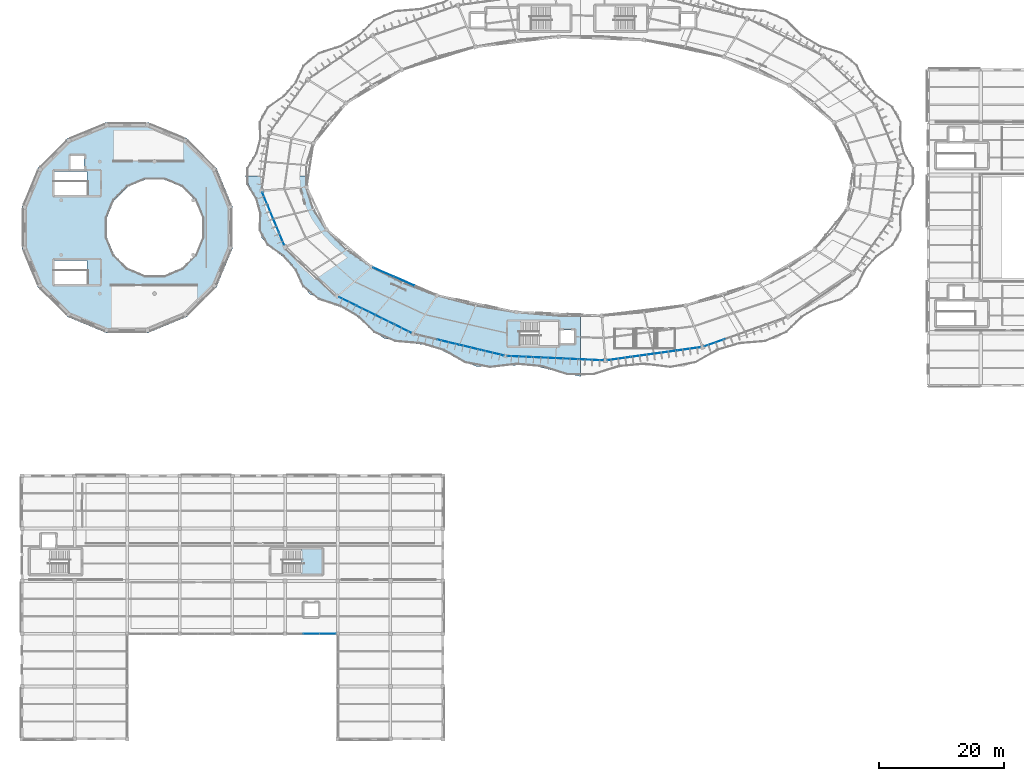
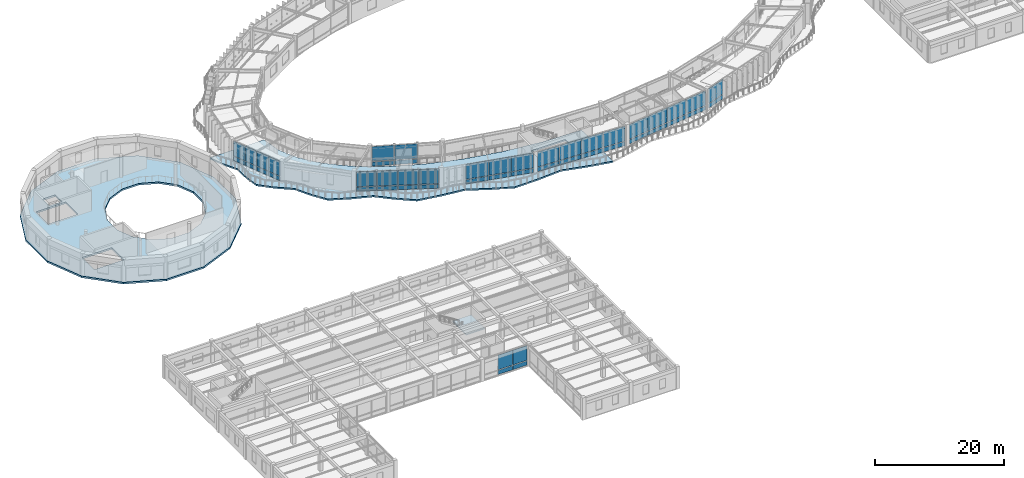
# One storey, part 84 of 114: 48 plates, 3 slabs, 9 elements without a shape of their own.
"""IFC4 building model written with IfcOpenShell, lengths in metres."""

from ifc_helpers import new_model, si_unit, direction, frame, origin, origin_2d, place, context, subcontext, project, spatial, polyline, rectangle, outline, extrude, material, layer, layer_set, type_object, element, aggregate, save


model = new_model("IFC4")

# Units and contexts
model_context = context("Model", 3, precision=1e-05, world=origin(), true_north=direction((0.0, 1.0)))
body_context = subcontext(model_context, "Body", "Model", "MODEL_VIEW")
ifc_project = project(units=[si_unit("LENGTHUNIT", "METRE"), si_unit("AREAUNIT", "SQUARE_METRE"), si_unit("VOLUMEUNIT", "CUBIC_METRE"), si_unit("PLANEANGLEUNIT", "RADIAN"), si_unit("MASSUNIT", "GRAM", prefix="KILO"), si_unit("THERMODYNAMICTEMPERATUREUNIT", "KELVIN"), si_unit("POWERUNIT", "WATT")], contexts=[model_context])

# Site, building, storey
site_placement = place(None, origin())
site = spatial("IfcSite", under=ifc_project, at=site_placement, CompositionType="ELEMENT")
building_placement = place(site_placement, origin())
building = spatial("IfcBuilding", under=site, at=building_placement, Name="Darbajah Civic Hall", CompositionType="ELEMENT")
storey_placement = place(building_placement, frame((0.0, 0.0, 13.800048828125)))
storey = spatial("IfcBuildingStorey", under=building, at=storey_placement, Name="L03", CompositionType="ELEMENT", Elevation=13.800048828125)

# Curtain wall, plates
ifc_material_1 = material(Name="Anodised Bronze Aluminium and Low-E Glazing", Category="aluminium")
curtain_wall_type_1 = type_object("IfcCurtainWallType", Name="Unitised Curtain Wall CW-61 15300x3900", PredefinedType="USERDEFINED", material=ifc_material_1)
curtain_wall_1_placement = place(storey_placement, origin())
curtain_wall_1 = element("IfcCurtainWall", 1, at=curtain_wall_1_placement, inside=storey, type_object=curtain_wall_type_1, Name="L03 unitised curtain wall CW-V1O-L03-14", ObjectType="UNITISED CURTAIN WALL", PredefinedType="USERDEFINED")
ifc_material_2 = material(Name="Low-E Solar Control Double Glazing", Category="glass")
ifc_layer_1 = layer(ifc_material_2, 0.02392578125, Name="Low-E Solar Control Double Glazing")
ifc_layer_set_1 = layer_set([ifc_layer_1], Name="Low-E Solar Control Double Glazing")
plate_type_1 = type_object("IfcPlateType", Name="Solar Double Glazing 24mm", PredefinedType="CURTAIN_PANEL", material=ifc_layer_set_1)
plate_1_placement = place(storey_placement, frame((79.427734375, 61.013427734375, 0.10009765625), z_axis=(0.0, 0.0, 1.0), x_axis=(0.998962637241, -0.045537340693, 0.0)))
plate_1 = element("IfcPlate", 2, at=plate_1_placement, type_object=plate_type_1, Name="CW-V1O-L03-14 glazed panel 1.1", PredefinedType="CURTAIN_PANEL", context=body_context, shape_type="SweptSolid", body=[
    extrude(rectangle(XDim=3.75244140625, YDim=0.02392578125, at=origin_2d()), origin(), (0.0, 0.0, 1.0), 0.800048828125),
])
plate_2_placement = place(storey_placement, frame((79.427734375, 61.013427734375, 1.0), z_axis=(0.0, 0.0, 1.0), x_axis=(0.998962637241, -0.045537340693, 0.0)))
plate_2 = element("IfcPlate", 3, at=plate_2_placement, type_object=plate_type_1, Name="CW-V1O-L03-14 glazed panel 1.2", PredefinedType="CURTAIN_PANEL", context=body_context, shape_type="SweptSolid", body=[
    extrude(rectangle(XDim=3.75244140625, YDim=0.02392578125, at=origin_2d()), origin(), (0.0, 0.0, 1.0), 2.820068359375),
])
plate_3_placement = place(storey_placement, frame((83.2412109375, 60.83984375, 0.10009765625), z_axis=(0.0, 0.0, 1.0), x_axis=(0.998962637241, -0.045537340693, 0.0)))
plate_3 = element("IfcPlate", 4, at=plate_3_placement, type_object=plate_type_1, Name="CW-V1O-L03-14 glazed panel 2.1", PredefinedType="CURTAIN_PANEL", context=body_context, shape_type="SweptSolid", body=[
    extrude(rectangle(XDim=3.75244140625, YDim=0.02392578125, at=origin_2d()), origin(), (0.0, 0.0, 1.0), 0.800048828125),
])
plate_4_placement = place(storey_placement, frame((83.2412109375, 60.83984375, 1.0), z_axis=(0.0, 0.0, 1.0), x_axis=(0.998962637241, -0.045537340693, 0.0)))
plate_4 = element("IfcPlate", 5, at=plate_4_placement, type_object=plate_type_1, Name="CW-V1O-L03-14 glazed panel 2.2", PredefinedType="CURTAIN_PANEL", context=body_context, shape_type="SweptSolid", body=[
    extrude(rectangle(XDim=3.75244140625, YDim=0.02392578125, at=origin_2d()), origin(), (0.0, 0.0, 1.0), 2.820068359375),
])
plate_5_placement = place(storey_placement, frame((87.0546875, 60.666259765625, 0.10009765625), z_axis=(0.0, 0.0, 1.0), x_axis=(0.998962637241, -0.045537340693, 0.0)))
plate_5 = element("IfcPlate", 6, at=plate_5_placement, type_object=plate_type_1, Name="CW-V1O-L03-14 glazed panel 3.1", PredefinedType="CURTAIN_PANEL", context=body_context, shape_type="SweptSolid", body=[
    extrude(rectangle(XDim=3.75244140625, YDim=0.02392578125, at=origin_2d()), origin(), (0.0, 0.0, 1.0), 0.800048828125),
])
plate_6_placement = place(storey_placement, frame((87.0546875, 60.666259765625, 1.0), z_axis=(0.0, 0.0, 1.0), x_axis=(0.998962637241, -0.045537340693, 0.0)))
plate_6 = element("IfcPlate", 7, at=plate_6_placement, type_object=plate_type_1, Name="CW-V1O-L03-14 glazed panel 3.2", PredefinedType="CURTAIN_PANEL", context=body_context, shape_type="SweptSolid", body=[
    extrude(rectangle(XDim=3.75244140625, YDim=0.02392578125, at=origin_2d()), origin(), (0.0, 0.0, 1.0), 2.820068359375),
])
plate_7_placement = place(storey_placement, frame((90.867919921875, 60.49267578125, 0.10009765625), z_axis=(0.0, 0.0, 1.0), x_axis=(0.998962637241, -0.045537340693, 0.0)))
plate_7 = element("IfcPlate", 8, at=plate_7_placement, type_object=plate_type_1, Name="CW-V1O-L03-14 glazed panel 4.1", PredefinedType="CURTAIN_PANEL", context=body_context, shape_type="SweptSolid", body=[
    extrude(rectangle(XDim=3.75244140625, YDim=0.02392578125, at=origin_2d()), origin(), (0.0, 0.0, 1.0), 0.800048828125),
])
plate_8_placement = place(storey_placement, frame((90.867919921875, 60.49267578125, 1.0), z_axis=(0.0, 0.0, 1.0), x_axis=(0.998962637241, -0.045537340693, 0.0)))
plate_8 = element("IfcPlate", 9, at=plate_8_placement, type_object=plate_type_1, Name="CW-V1O-L03-14 glazed panel 4.2", PredefinedType="CURTAIN_PANEL", context=body_context, shape_type="SweptSolid", body=[
    extrude(rectangle(XDim=3.75244140625, YDim=0.02392578125, at=origin_2d()), origin(), (0.0, 0.0, 1.0), 2.820068359375),
])
aggregate(curtain_wall_1, [plate_1, plate_2, plate_3, plate_4, plate_5, plate_6, plate_7, plate_8])

curtain_wall_type_2 = type_object("IfcCurtainWallType", Name="Unitised Curtain Wall CW-59 9100x3900", PredefinedType="USERDEFINED", material=ifc_material_1)
curtain_wall_2_placement = place(storey_placement, origin())
curtain_wall_2 = element("IfcCurtainWall", 10, at=curtain_wall_2_placement, inside=storey, type_object=curtain_wall_type_2, Name="L03 unitised curtain wall CW-V1O-L03-10", ObjectType="UNITISED CURTAIN WALL", PredefinedType="USERDEFINED")
ifc_layer_2 = layer(ifc_material_2, 0.028076171875, Name="Low-E Solar Control Double Glazing")
ifc_layer_set_2 = layer_set([ifc_layer_2], Name="Low-E Solar Control Double Glazing")
plate_type_2 = type_object("IfcPlateType", Name="Solar Double Glazing 28mm", PredefinedType="CURTAIN_PANEL", material=ifc_layer_set_2)
plate_9_placement = place(storey_placement, frame((38.81689453125, 86.13720703125, 0.119873046875), z_axis=(0.0, 0.0, 1.0), x_axis=(0.383328328644, -0.923612143954, 0.0)))
plate_9 = element("IfcPlate", 11, at=plate_9_placement, type_object=plate_type_2, Name="CW-V1O-L03-10 glazed panel 1.1", PredefinedType="CURTAIN_PANEL", context=body_context, shape_type="SweptSolid", body=[
    extrude(rectangle(XDim=2.19580078125, YDim=0.028076171875, at=origin_2d()), origin(), (0.0, 0.0, 1.0), 0.77001953125),
])
plate_10_placement = place(storey_placement, frame((38.81689453125, 86.13720703125, 1.010009765625), z_axis=(0.0, 0.0, 1.0), x_axis=(0.383328328644, -0.923612143954, 0.0)))
plate_10 = element("IfcPlate", 12, at=plate_10_placement, type_object=plate_type_2, Name="CW-V1O-L03-10 glazed panel 1.2", PredefinedType="CURTAIN_PANEL", context=body_context, shape_type="SweptSolid", body=[
    extrude(rectangle(XDim=2.19580078125, YDim=0.028076171875, at=origin_2d()), origin(), (0.0, 0.0, 1.0), 2.7900390625),
])
plate_11_placement = place(storey_placement, frame((39.685302734375, 84.04443359375, 0.119873046875), z_axis=(0.0, 0.0, 1.0), x_axis=(0.383328328644, -0.923612143954, 0.0)))
plate_11 = element("IfcPlate", 13, at=plate_11_placement, type_object=plate_type_2, Name="CW-V1O-L03-10 glazed panel 2.1", PredefinedType="CURTAIN_PANEL", context=body_context, shape_type="SweptSolid", body=[
    extrude(rectangle(XDim=2.19580078125, YDim=0.028076171875, at=origin_2d()), origin(), (0.0, 0.0, 1.0), 0.77001953125),
])
plate_12_placement = place(storey_placement, frame((39.685302734375, 84.04443359375, 1.010009765625), z_axis=(0.0, 0.0, 1.0), x_axis=(0.383328328644, -0.923612143954, 0.0)))
plate_12 = element("IfcPlate", 14, at=plate_12_placement, type_object=plate_type_2, Name="CW-V1O-L03-10 glazed panel 2.2", PredefinedType="CURTAIN_PANEL", context=body_context, shape_type="SweptSolid", body=[
    extrude(rectangle(XDim=2.19580078125, YDim=0.028076171875, at=origin_2d()), origin(), (0.0, 0.0, 1.0), 2.7900390625),
])
plate_13_placement = place(storey_placement, frame((40.553955078125, 81.951904296875, 0.119873046875), z_axis=(0.0, 0.0, 1.0), x_axis=(0.383328328644, -0.923612143954, 0.0)))
plate_13 = element("IfcPlate", 15, at=plate_13_placement, type_object=plate_type_2, Name="CW-V1O-L03-10 glazed panel 3.1", PredefinedType="CURTAIN_PANEL", context=body_context, shape_type="SweptSolid", body=[
    extrude(rectangle(XDim=2.19580078125, YDim=0.028076171875, at=origin_2d()), origin(), (0.0, 0.0, 1.0), 0.77001953125),
])
plate_14_placement = place(storey_placement, frame((40.553955078125, 81.951904296875, 1.010009765625), z_axis=(0.0, 0.0, 1.0), x_axis=(0.383328328644, -0.923612143954, 0.0)))
plate_14 = element("IfcPlate", 16, at=plate_14_placement, type_object=plate_type_2, Name="CW-V1O-L03-10 glazed panel 3.2", PredefinedType="CURTAIN_PANEL", context=body_context, shape_type="SweptSolid", body=[
    extrude(rectangle(XDim=2.19580078125, YDim=0.028076171875, at=origin_2d()), origin(), (0.0, 0.0, 1.0), 2.7900390625),
])
plate_15_placement = place(storey_placement, frame((41.42236328125, 79.859130859375, 0.119873046875), z_axis=(0.0, 0.0, 1.0), x_axis=(0.383328328644, -0.923612143954, 0.0)))
plate_15 = element("IfcPlate", 17, at=plate_15_placement, type_object=plate_type_2, Name="CW-V1O-L03-10 glazed panel 4.1", PredefinedType="CURTAIN_PANEL", context=body_context, shape_type="SweptSolid", body=[
    extrude(rectangle(XDim=2.19580078125, YDim=0.028076171875, at=origin_2d()), origin(), (0.0, 0.0, 1.0), 0.77001953125),
])
plate_16_placement = place(storey_placement, frame((41.42236328125, 79.859130859375, 1.010009765625), z_axis=(0.0, 0.0, 1.0), x_axis=(0.383328328644, -0.923612143954, 0.0)))
plate_16 = element("IfcPlate", 18, at=plate_16_placement, type_object=plate_type_2, Name="CW-V1O-L03-10 glazed panel 4.2", PredefinedType="CURTAIN_PANEL", context=body_context, shape_type="SweptSolid", body=[
    extrude(rectangle(XDim=2.19580078125, YDim=0.028076171875, at=origin_2d()), origin(), (0.0, 0.0, 1.0), 2.7900390625),
])
aggregate(curtain_wall_2, [plate_9, plate_10, plate_11, plate_12, plate_13, plate_14, plate_15, plate_16])

curtain_wall_type_3 = type_object("IfcCurtainWallType", Name="Unitised Curtain Wall CW-39 10800x3900", PredefinedType="USERDEFINED", material=ifc_material_1)
curtain_wall_3_placement = place(storey_placement, origin())
curtain_wall_3 = element("IfcCurtainWall", 19, at=curtain_wall_3_placement, inside=storey, type_object=curtain_wall_type_3, Name="L03 unitised curtain wall CW-V1I-L03-12", ObjectType="UNITISED CURTAIN WALL", PredefinedType="USERDEFINED")
plate_17_placement = place(storey_placement, frame((57.715576171875, 74.481689453125, 0.119873046875), z_axis=(0.0, 0.0, 1.0), x_axis=(0.917060074385, -0.398749068925, 0.0)))
plate_17 = element("IfcPlate", 20, at=plate_17_placement, type_object=plate_type_2, Name="CW-V1I-L03-12 glazed panel 1.1", PredefinedType="CURTAIN_PANEL", context=body_context, shape_type="SweptSolid", body=[
    extrude(rectangle(XDim=3.516357421875, YDim=0.028076171875, at=origin_2d()), origin(), (0.0, 0.0, 1.0), 0.77001953125),
])
plate_18_placement = place(storey_placement, frame((57.715576171875, 74.481689453125, 1.010009765625), z_axis=(0.0, 0.0, 1.0), x_axis=(0.917060074385, -0.398749068925, 0.0)))
plate_18 = element("IfcPlate", 21, at=plate_18_placement, type_object=plate_type_2, Name="CW-V1I-L03-12 glazed panel 1.2", PredefinedType="CURTAIN_PANEL", context=body_context, shape_type="SweptSolid", body=[
    extrude(rectangle(XDim=3.516357421875, YDim=0.028076171875, at=origin_2d()), origin(), (0.0, 0.0, 1.0), 2.7900390625),
])
plate_19_placement = place(storey_placement, frame((61.00439453125, 73.0517578125, 0.119873046875), z_axis=(0.0, 0.0, 1.0), x_axis=(0.917060074385, -0.398749068925, 0.0)))
plate_19 = element("IfcPlate", 22, at=plate_19_placement, type_object=plate_type_2, Name="CW-V1I-L03-12 glazed panel 2.1", PredefinedType="CURTAIN_PANEL", context=body_context, shape_type="SweptSolid", body=[
    extrude(rectangle(XDim=3.516357421875, YDim=0.028076171875, at=origin_2d()), origin(), (0.0, 0.0, 1.0), 0.77001953125),
])
plate_20_placement = place(storey_placement, frame((61.00439453125, 73.0517578125, 1.010009765625), z_axis=(0.0, 0.0, 1.0), x_axis=(0.917060074385, -0.398749068925, 0.0)))
plate_20 = element("IfcPlate", 23, at=plate_20_placement, type_object=plate_type_2, Name="CW-V1I-L03-12 glazed panel 2.2", PredefinedType="CURTAIN_PANEL", context=body_context, shape_type="SweptSolid", body=[
    extrude(rectangle(XDim=3.516357421875, YDim=0.028076171875, at=origin_2d()), origin(), (0.0, 0.0, 1.0), 2.7900390625),
])
aggregate(curtain_wall_3, [plate_17, plate_18, plate_19, plate_20])

curtain_wall_type_4 = type_object("IfcCurtainWallType", Name="Unitised Curtain Wall CW-48 14500x3900", PredefinedType="USERDEFINED", material=ifc_material_1)
curtain_wall_4_placement = place(storey_placement, origin())
curtain_wall_4 = element("IfcCurtainWall", 24, at=curtain_wall_4_placement, inside=storey, type_object=curtain_wall_type_4, Name="L03 unitised curtain wall CW-V1O-L03-13", ObjectType="UNITISED CURTAIN WALL", PredefinedType="USERDEFINED")
plate_21_placement = place(storey_placement, frame((68.060302734375, 63.3037109375, 0.119873046875), z_axis=(0.0, 0.0, 1.0), x_axis=(0.972492018808, -0.232936200179, 0.0)))
plate_21 = element("IfcPlate", 25, at=plate_21_placement, type_object=plate_type_2, Name="CW-V1O-L03-13 glazed panel 2.1", PredefinedType="CURTAIN_PANEL", context=body_context, shape_type="SweptSolid", body=[
    extrude(rectangle(XDim=3.55615234375, YDim=0.028076171875, at=origin_2d()), origin(), (0.0, 0.0, 1.0), 0.77001953125),
])
plate_22_placement = place(storey_placement, frame((68.060302734375, 63.3037109375, 1.010009765625), z_axis=(0.0, 0.0, 1.0), x_axis=(0.972492018808, -0.232936200179, 0.0)))
plate_22 = element("IfcPlate", 26, at=plate_22_placement, type_object=plate_type_2, Name="CW-V1O-L03-13 glazed panel 2.2", PredefinedType="CURTAIN_PANEL", context=body_context, shape_type="SweptSolid", body=[
    extrude(rectangle(XDim=3.55615234375, YDim=0.028076171875, at=origin_2d()), origin(), (0.0, 0.0, 1.0), 2.7900390625),
])
plate_23_placement = place(storey_placement, frame((71.586669921875, 62.458740234375, 0.119873046875), z_axis=(0.0, 0.0, 1.0), x_axis=(0.972492018808, -0.232936200179, 0.0)))
plate_23 = element("IfcPlate", 27, at=plate_23_placement, type_object=plate_type_2, Name="CW-V1O-L03-13 glazed panel 3.1", PredefinedType="CURTAIN_PANEL", context=body_context, shape_type="SweptSolid", body=[
    extrude(rectangle(XDim=3.55615234375, YDim=0.028076171875, at=origin_2d()), origin(), (0.0, 0.0, 1.0), 0.77001953125),
])
plate_24_placement = place(storey_placement, frame((71.586669921875, 62.458740234375, 1.010009765625), z_axis=(0.0, 0.0, 1.0), x_axis=(0.972492018808, -0.232936200179, 0.0)))
plate_24 = element("IfcPlate", 28, at=plate_24_placement, type_object=plate_type_2, Name="CW-V1O-L03-13 glazed panel 3.2", PredefinedType="CURTAIN_PANEL", context=body_context, shape_type="SweptSolid", body=[
    extrude(rectangle(XDim=3.55615234375, YDim=0.028076171875, at=origin_2d()), origin(), (0.0, 0.0, 1.0), 2.7900390625),
])
plate_25_placement = place(storey_placement, frame((75.113037109375, 61.61376953125, 0.119873046875), z_axis=(0.0, 0.0, 1.0), x_axis=(0.972492018808, -0.232936200179, 0.0)))
plate_25 = element("IfcPlate", 29, at=plate_25_placement, type_object=plate_type_2, Name="CW-V1O-L03-13 glazed panel 4.1", PredefinedType="CURTAIN_PANEL", context=body_context, shape_type="SweptSolid", body=[
    extrude(rectangle(XDim=3.55615234375, YDim=0.028076171875, at=origin_2d()), origin(), (0.0, 0.0, 1.0), 0.77001953125),
])
plate_26_placement = place(storey_placement, frame((75.113037109375, 61.61376953125, 1.010009765625), z_axis=(0.0, 0.0, 1.0), x_axis=(0.972492018808, -0.232936200179, 0.0)))
plate_26 = element("IfcPlate", 30, at=plate_26_placement, type_object=plate_type_2, Name="CW-V1O-L03-13 glazed panel 4.2", PredefinedType="CURTAIN_PANEL", context=body_context, shape_type="SweptSolid", body=[
    extrude(rectangle(XDim=3.55615234375, YDim=0.028076171875, at=origin_2d()), origin(), (0.0, 0.0, 1.0), 2.7900390625),
])
aggregate(curtain_wall_4, [plate_21, plate_22, plate_23, plate_24, plate_25, plate_26])

curtain_wall_type_5 = type_object("IfcCurtainWallType", Name="Unitised Curtain Wall CW-62 13800x3900", PredefinedType="USERDEFINED", material=ifc_material_1)
curtain_wall_5_placement = place(storey_placement, origin())
curtain_wall_5 = element("IfcCurtainWall", 31, at=curtain_wall_5_placement, inside=storey, type_object=curtain_wall_type_5, Name="L03 unitised curtain wall CW-V1O-L03-16", ObjectType="UNITISED CURTAIN WALL", PredefinedType="USERDEFINED")
plate_27_placement = place(storey_placement, frame((110.548583984375, 63.230224609375, 0.119873046875), z_axis=(0.0, 0.0, 1.0), x_axis=(0.94252491309, 0.334135882844, 0.0)))
plate_27 = element("IfcPlate", 32, at=plate_27_placement, type_object=plate_type_2, Name="CW-V1O-L03-16 glazed panel 1.1", PredefinedType="CURTAIN_PANEL", context=body_context, shape_type="SweptSolid", body=[
    extrude(rectangle(XDim=3.375, YDim=0.028076171875, at=origin_2d()), origin(), (0.0, 0.0, 1.0), 0.77001953125),
])
plate_28_placement = place(storey_placement, frame((110.548583984375, 63.230224609375, 1.010009765625), z_axis=(0.0, 0.0, 1.0), x_axis=(0.94252491309, 0.334135882844, 0.0)))
plate_28 = element("IfcPlate", 33, at=plate_28_placement, type_object=plate_type_2, Name="CW-V1O-L03-16 glazed panel 1.2", PredefinedType="CURTAIN_PANEL", context=body_context, shape_type="SweptSolid", body=[
    extrude(rectangle(XDim=3.375, YDim=0.028076171875, at=origin_2d()), origin(), (0.0, 0.0, 1.0), 2.7900390625),
])
aggregate(curtain_wall_5, [plate_27, plate_28])

curtain_wall_type_6 = type_object("IfcCurtainWallType", Name="Unitised Curtain Wall CW-60 12900x3900", PredefinedType="USERDEFINED", material=ifc_material_1)
curtain_wall_6_placement = place(storey_placement, origin())
curtain_wall_6 = element("IfcCurtainWall", 34, at=curtain_wall_6_placement, inside=storey, type_object=curtain_wall_type_6, Name="L03 unitised curtain wall CW-V1O-L03-12", ObjectType="UNITISED CURTAIN WALL", PredefinedType="USERDEFINED")
ifc_layer_3 = layer(ifc_material_2, 0.031982421875, Name="Low-E Solar Control Double Glazing")
ifc_layer_set_3 = layer_set([ifc_layer_3], Name="Low-E Solar Control Double Glazing")
plate_type_3 = type_object("IfcPlateType", Name="Solar Double Glazing 32mm", PredefinedType="CURTAIN_PANEL", material=ifc_layer_set_3)
plate_29_placement = place(storey_placement, frame((52.055908203125, 69.783447265625, 0.14013671875), z_axis=(0.0, 0.0, 1.0), x_axis=(0.89656374724, -0.442914717678, 0.0)))
plate_29 = element("IfcPlate", 35, at=plate_29_placement, type_object=plate_type_3, Name="CW-V1O-L03-12 glazed panel 1.1", PredefinedType="CURTAIN_PANEL", context=body_context, shape_type="SweptSolid", body=[
    extrude(rectangle(XDim=3.144775390625, YDim=0.031982421875, at=origin_2d()), origin(), (0.0, 0.0, 1.0), 0.739990234375),
])
plate_30_placement = place(storey_placement, frame((52.055908203125, 69.783447265625, 1.02001953125), z_axis=(0.0, 0.0, 1.0), x_axis=(0.89656374724, -0.442914717678, 0.0)))
plate_30 = element("IfcPlate", 36, at=plate_30_placement, type_object=plate_type_3, Name="CW-V1O-L03-12 glazed panel 1.2", PredefinedType="CURTAIN_PANEL", context=body_context, shape_type="SweptSolid", body=[
    extrude(rectangle(XDim=3.144775390625, YDim=0.031982421875, at=origin_2d()), origin(), (0.0, 0.0, 1.0), 2.760009765625),
])
plate_31_placement = place(storey_placement, frame((54.9423828125, 68.357177734375, 0.14013671875), z_axis=(0.0, 0.0, 1.0), x_axis=(0.89656374724, -0.442914717678, 0.0)))
plate_31 = element("IfcPlate", 37, at=plate_31_placement, type_object=plate_type_3, Name="CW-V1O-L03-12 glazed panel 2.1", PredefinedType="CURTAIN_PANEL", context=body_context, shape_type="SweptSolid", body=[
    extrude(rectangle(XDim=3.144775390625, YDim=0.031982421875, at=origin_2d()), origin(), (0.0, 0.0, 1.0), 0.739990234375),
])
plate_32_placement = place(storey_placement, frame((54.9423828125, 68.357177734375, 1.02001953125), z_axis=(0.0, 0.0, 1.0), x_axis=(0.89656374724, -0.442914717678, 0.0)))
plate_32 = element("IfcPlate", 38, at=plate_32_placement, type_object=plate_type_3, Name="CW-V1O-L03-12 glazed panel 2.2", PredefinedType="CURTAIN_PANEL", context=body_context, shape_type="SweptSolid", body=[
    extrude(rectangle(XDim=3.144775390625, YDim=0.031982421875, at=origin_2d()), origin(), (0.0, 0.0, 1.0), 2.760009765625),
])
plate_33_placement = place(storey_placement, frame((57.829345703125, 66.93115234375, 0.14013671875), z_axis=(0.0, 0.0, 1.0), x_axis=(0.89656374724, -0.442914717678, 0.0)))
plate_33 = element("IfcPlate", 39, at=plate_33_placement, type_object=plate_type_3, Name="CW-V1O-L03-12 glazed panel 3.1", PredefinedType="CURTAIN_PANEL", context=body_context, shape_type="SweptSolid", body=[
    extrude(rectangle(XDim=3.144775390625, YDim=0.031982421875, at=origin_2d()), origin(), (0.0, 0.0, 1.0), 0.739990234375),
])
plate_34_placement = place(storey_placement, frame((57.829345703125, 66.93115234375, 1.02001953125), z_axis=(0.0, 0.0, 1.0), x_axis=(0.89656374724, -0.442914717678, 0.0)))
plate_34 = element("IfcPlate", 40, at=plate_34_placement, type_object=plate_type_3, Name="CW-V1O-L03-12 glazed panel 3.2", PredefinedType="CURTAIN_PANEL", context=body_context, shape_type="SweptSolid", body=[
    extrude(rectangle(XDim=3.144775390625, YDim=0.031982421875, at=origin_2d()), origin(), (0.0, 0.0, 1.0), 2.760009765625),
])
plate_35_placement = place(storey_placement, frame((60.716064453125, 65.5048828125, 0.14013671875), z_axis=(0.0, 0.0, 1.0), x_axis=(0.89656374724, -0.442914717678, 0.0)))
plate_35 = element("IfcPlate", 41, at=plate_35_placement, type_object=plate_type_3, Name="CW-V1O-L03-12 glazed panel 4.1", PredefinedType="CURTAIN_PANEL", context=body_context, shape_type="SweptSolid", body=[
    extrude(rectangle(XDim=3.144775390625, YDim=0.031982421875, at=origin_2d()), origin(), (0.0, 0.0, 1.0), 0.739990234375),
])
plate_36_placement = place(storey_placement, frame((60.716064453125, 65.5048828125, 1.02001953125), z_axis=(0.0, 0.0, 1.0), x_axis=(0.89656374724, -0.442914717678, 0.0)))
plate_36 = element("IfcPlate", 42, at=plate_36_placement, type_object=plate_type_3, Name="CW-V1O-L03-12 glazed panel 4.2", PredefinedType="CURTAIN_PANEL", context=body_context, shape_type="SweptSolid", body=[
    extrude(rectangle(XDim=3.144775390625, YDim=0.031982421875, at=origin_2d()), origin(), (0.0, 0.0, 1.0), 2.760009765625),
])
aggregate(curtain_wall_6, [plate_29, plate_30, plate_31, plate_32, plate_33, plate_34, plate_35, plate_36])

curtain_wall_type_7 = type_object("IfcCurtainWallType", Name="Unitised Curtain Wall CW-49 15000x3900", PredefinedType="USERDEFINED", material=ifc_material_1)
curtain_wall_7_placement = place(storey_placement, origin())
curtain_wall_7 = element("IfcCurtainWall", 43, at=curtain_wall_7_placement, inside=storey, type_object=curtain_wall_type_7, Name="L03 unitised curtain wall CW-V1O-L03-15", ObjectType="UNITISED CURTAIN WALL", PredefinedType="USERDEFINED")
plate_37_placement = place(storey_placement, frame((95.28369140625, 60.694091796875, 0.14013671875), z_axis=(0.0, 0.0, 1.0), x_axis=(0.990485459553, 0.137617420457, 0.0)))
plate_37 = element("IfcPlate", 44, at=plate_37_placement, type_object=plate_type_3, Name="CW-V1O-L03-15 glazed panel 1.1", PredefinedType="CURTAIN_PANEL", context=body_context, shape_type="SweptSolid", body=[
    extrude(rectangle(XDim=3.677490234375, YDim=0.031982421875, at=origin_2d()), origin(), (0.0, 0.0, 1.0), 0.739990234375),
])
plate_38_placement = place(storey_placement, frame((95.28369140625, 60.694091796875, 1.02001953125), z_axis=(0.0, 0.0, 1.0), x_axis=(0.990485459553, 0.137617420457, 0.0)))
plate_38 = element("IfcPlate", 45, at=plate_38_placement, type_object=plate_type_3, Name="CW-V1O-L03-15 glazed panel 1.2", PredefinedType="CURTAIN_PANEL", context=body_context, shape_type="SweptSolid", body=[
    extrude(rectangle(XDim=3.677490234375, YDim=0.031982421875, at=origin_2d()), origin(), (0.0, 0.0, 1.0), 2.760009765625),
])
plate_39_placement = place(storey_placement, frame((99.000732421875, 61.210205078125, 0.14013671875), z_axis=(0.0, 0.0, 1.0), x_axis=(0.990485459553, 0.137617420457, 0.0)))
plate_39 = element("IfcPlate", 46, at=plate_39_placement, type_object=plate_type_3, Name="CW-V1O-L03-15 glazed panel 2.1", PredefinedType="CURTAIN_PANEL", context=body_context, shape_type="SweptSolid", body=[
    extrude(rectangle(XDim=3.677490234375, YDim=0.031982421875, at=origin_2d()), origin(), (0.0, 0.0, 1.0), 0.739990234375),
])
plate_40_placement = place(storey_placement, frame((99.000732421875, 61.210205078125, 1.02001953125), z_axis=(0.0, 0.0, 1.0), x_axis=(0.990485459553, 0.137617420457, 0.0)))
plate_40 = element("IfcPlate", 47, at=plate_40_placement, type_object=plate_type_3, Name="CW-V1O-L03-15 glazed panel 2.2", PredefinedType="CURTAIN_PANEL", context=body_context, shape_type="SweptSolid", body=[
    extrude(rectangle(XDim=3.677490234375, YDim=0.031982421875, at=origin_2d()), origin(), (0.0, 0.0, 1.0), 2.760009765625),
])
plate_41_placement = place(storey_placement, frame((102.717529296875, 61.726318359375, 0.14013671875), z_axis=(0.0, 0.0, 1.0), x_axis=(0.990485459553, 0.137617420457, 0.0)))
plate_41 = element("IfcPlate", 48, at=plate_41_placement, type_object=plate_type_3, Name="CW-V1O-L03-15 glazed panel 3.1", PredefinedType="CURTAIN_PANEL", context=body_context, shape_type="SweptSolid", body=[
    extrude(rectangle(XDim=3.677490234375, YDim=0.031982421875, at=origin_2d()), origin(), (0.0, 0.0, 1.0), 0.739990234375),
])
plate_42_placement = place(storey_placement, frame((102.717529296875, 61.726318359375, 1.02001953125), z_axis=(0.0, 0.0, 1.0), x_axis=(0.990485459553, 0.137617420457, 0.0)))
plate_42 = element("IfcPlate", 49, at=plate_42_placement, type_object=plate_type_3, Name="CW-V1O-L03-15 glazed panel 3.2", PredefinedType="CURTAIN_PANEL", context=body_context, shape_type="SweptSolid", body=[
    extrude(rectangle(XDim=3.677490234375, YDim=0.031982421875, at=origin_2d()), origin(), (0.0, 0.0, 1.0), 2.760009765625),
])
plate_43_placement = place(storey_placement, frame((106.4345703125, 62.242431640625, 0.14013671875), z_axis=(0.0, 0.0, 1.0), x_axis=(0.990485459553, 0.137617420457, 0.0)))
plate_43 = element("IfcPlate", 50, at=plate_43_placement, type_object=plate_type_3, Name="CW-V1O-L03-15 glazed panel 4.1", PredefinedType="CURTAIN_PANEL", context=body_context, shape_type="SweptSolid", body=[
    extrude(rectangle(XDim=3.677490234375, YDim=0.031982421875, at=origin_2d()), origin(), (0.0, 0.0, 1.0), 0.739990234375),
])
plate_44_placement = place(storey_placement, frame((106.4345703125, 62.242431640625, 1.02001953125), z_axis=(0.0, 0.0, 1.0), x_axis=(0.990485459553, 0.137617420457, 0.0)))
plate_44 = element("IfcPlate", 51, at=plate_44_placement, type_object=plate_type_3, Name="CW-V1O-L03-15 glazed panel 4.2", PredefinedType="CURTAIN_PANEL", context=body_context, shape_type="SweptSolid", body=[
    extrude(rectangle(XDim=3.677490234375, YDim=0.031982421875, at=origin_2d()), origin(), (0.0, 0.0, 1.0), 2.760009765625),
])
aggregate(curtain_wall_7, [plate_37, plate_38, plate_39, plate_40, plate_41, plate_42, plate_43, plate_44])

curtain_wall_type_8 = type_object("IfcCurtainWallType", Name="Unitised Curtain Wall CW-100 7800x3950", PredefinedType="USERDEFINED", material=ifc_material_1)
curtain_wall_8_placement = place(storey_placement, origin())
curtain_wall_8 = element("IfcCurtainWall", 52, at=curtain_wall_8_placement, inside=storey, type_object=curtain_wall_type_8, Name="L03 unitised curtain wall CW-V5-L03-S2-B3", ObjectType="UNITISED CURTAIN WALL", PredefinedType="USERDEFINED")
plate_45_placement = place(storey_placement, frame((46.199951171875, 16.800048828125, 0.119873046875), z_axis=(0.0, 0.0, 1.0), x_axis=(1.0, 0.0, 0.0)))
plate_45 = element("IfcPlate", 53, at=plate_45_placement, type_object=plate_type_3, Name="CW-V5-L03-S2-B3 glazed panel 2.1", PredefinedType="CURTAIN_PANEL", context=body_context, shape_type="SweptSolid", body=[
    extrude(rectangle(XDim=2.52880859375, YDim=0.031982421875, at=origin_2d()), origin(), (0.0, 0.0, 1.0), 0.77001953125),
])
plate_46_placement = place(storey_placement, frame((46.199951171875, 16.800048828125, 1.010009765625), z_axis=(0.0, 0.0, 1.0), x_axis=(1.0, 0.0, 0.0)))
plate_46 = element("IfcPlate", 54, at=plate_46_placement, type_object=plate_type_3, Name="CW-V5-L03-S2-B3 glazed panel 2.2", PredefinedType="CURTAIN_PANEL", context=body_context, shape_type="SweptSolid", body=[
    extrude(rectangle(XDim=2.52880859375, YDim=0.031982421875, at=origin_2d()), origin(), (0.0, 0.0, 1.0), 2.81005859375),
])
plate_47_placement = place(storey_placement, frame((48.798583984375, 16.800048828125, 0.119873046875), z_axis=(0.0, 0.0, 1.0), x_axis=(1.0, 0.0, 0.0)))
plate_47 = element("IfcPlate", 55, at=plate_47_placement, type_object=plate_type_3, Name="CW-V5-L03-S2-B3 glazed panel 3.1", PredefinedType="CURTAIN_PANEL", context=body_context, shape_type="SweptSolid", body=[
    extrude(rectangle(XDim=2.52880859375, YDim=0.031982421875, at=origin_2d()), origin(), (0.0, 0.0, 1.0), 0.77001953125),
])
plate_48_placement = place(storey_placement, frame((48.798583984375, 16.800048828125, 1.010009765625), z_axis=(0.0, 0.0, 1.0), x_axis=(1.0, 0.0, 0.0)))
plate_48 = element("IfcPlate", 56, at=plate_48_placement, type_object=plate_type_3, Name="CW-V5-L03-S2-B3 glazed panel 3.2", PredefinedType="CURTAIN_PANEL", context=body_context, shape_type="SweptSolid", body=[
    extrude(rectangle(XDim=2.52880859375, YDim=0.031982421875, at=origin_2d()), origin(), (0.0, 0.0, 1.0), 2.81005859375),
])
aggregate(curtain_wall_8, [plate_45, plate_46, plate_47, plate_48])

# Stair, slab
ifc_material_3 = material(Name="Concrete C45/55", Category="concrete")
stair_type = type_object("IfcStairType", Name="Half Turn Stair 1650x4200", PredefinedType="HALF_TURN_STAIR", material=ifc_material_3)
stair_placement = place(storey_placement, origin())
stair = element("IfcStair", 57, at=stair_placement, inside=storey, type_object=stair_type, Name="L03 enclosed exit stair ST11", PredefinedType="HALF_TURN_STAIR")
ifc_layer_4 = layer(ifc_material_3, 0.199951171875, Name="Concrete C45/55")
ifc_layer_set_4 = layer_set([ifc_layer_4], Name="Concrete C45/55")
slab_type_1 = type_object("IfcSlabType", Name="Stair Landing Slab 200mm", PredefinedType="LANDING", material=ifc_layer_set_4)
slab_1_placement = place(storey_placement, frame((0.0, 0.0, 1.89990234375)))
slab_1 = element("IfcSlab", 58, at=slab_1_placement, type_object=slab_type_1, Name="ST11 L03 half-landing", PredefinedType="LANDING", context=body_context, shape_type="SweptSolid", body=[
    extrude(outline(polyline([(44.639892578125, 26.199951171875), (48.0, 26.199951171875), (48.0, 30.39990234375), (44.639892578125, 30.39990234375), (44.639892578125, 26.199951171875)])), origin(), (0.0, 0.0, 1.0), 0.199951171875),
])
aggregate(stair, [slab_1])

# Slabs
ifc_layer_5 = layer(ifc_material_3, 0.280029296875, Name="Concrete C45/55")
ifc_layer_set_5 = layer_set([ifc_layer_5], Name="Concrete C45/55")
slab_type_2 = type_object("IfcSlabType", Name="Structural Floor Slab 280mm", PredefinedType="FLOOR", material=ifc_layer_set_5)
slab_2_placement = place(storey_placement, frame((0.0, 0.0, -0.280029296875)))
element("IfcSlab", 59, at=slab_2_placement, inside=storey, type_object=slab_type_2, Name="L03 Oval Administration Ring SW floor slab", PredefinedType="FLOOR", context=body_context, shape_type="SweptSolid", body=[
    extrude(outline(polyline([(35.659912109375, 89.800048828125), (36.602294921875, 87.355224609375), (37.858642578125, 85.047607421875), (37.89501953125, 82.52587890625), (38.275390625, 79.929931640625), (40.448486328125, 77.87548828125), (42.87451171875, 76.0078125), (44.199951171875, 73.518798828125), (45.8662109375, 71.026123046875), (49.056884765625, 69.563232421875), (52.415283203125, 68.318115234375), (54.900146484375, 66.105712890625), (57.688720703125, 63.9599609375), (61.585205078125, 63.231689453125), (65.547119140625, 62.731201171875), (68.947998046875, 61.011962890625), (72.586181640625, 59.42333984375), (76.806884765625, 59.5009765625), (80.984130859375, 59.7939453125), (84.96826171875, 58.736083984375), (89.10009765625, 57.860107421875), (89.10009765625, 67.52001953125), (82.251220703125, 67.794189453125), (75.5712890625, 68.610595703125), (69.224365234375, 69.948486328125), (63.36669921875, 71.775146484375), (58.142822265625, 74.045654296875), (53.68115234375, 76.7041015625), (50.091796875, 79.68505859375), (47.462646484375, 82.9150390625), (45.85888671875, 86.314697265625), (45.320068359375, 89.800048828125), (35.659912109375, 89.800048828125)]), holes=[polyline([(79.580078125, 66.580078125), (85.659912109375, 66.580078125), (85.659912109375, 62.820068359375), (79.580078125, 62.820068359375), (79.580078125, 66.580078125)]), polyline([(85.949951171875, 65.25), (88.14990234375, 65.25), (88.14990234375, 63.14990234375), (85.949951171875, 63.14990234375), (85.949951171875, 65.25)])]), origin(), (0.0, 0.0, 1.0), 0.280029296875),
])
ifc_layer_6 = layer(ifc_material_3, 0.320068359375, Name="Concrete C45/55")
ifc_layer_set_6 = layer_set([ifc_layer_6], Name="Concrete C45/55")
slab_type_3 = type_object("IfcSlabType", Name="Structural Floor Slab 320mm", PredefinedType="FLOOR", material=ifc_layer_set_6)
slab_3_placement = place(storey_placement, frame((0.0, 0.0, -0.320068359375)))
element("IfcSlab", 60, at=slab_3_placement, inside=storey, type_object=slab_type_3, Name="L03 Council Chamber drum floor slab", PredefinedType="FLOOR", context=body_context, shape_type="SweptSolid", body=[
    extrude(outline(polyline([(33.60009765625, 84.941650390625), (31.04248046875, 91.116455078125), (26.31640625, 95.84228515625), (20.1416015625, 98.39990234375), (13.458251953125, 98.39990234375), (7.28369140625, 95.84228515625), (2.5576171875, 91.116455078125), (0.0, 84.941650390625), (0.0, 78.25830078125), (2.5576171875, 72.08349609375), (7.28369140625, 67.357666015625), (13.458251953125, 64.800048828125), (20.1416015625, 64.800048828125), (26.31640625, 67.357666015625), (31.04248046875, 72.08349609375), (33.60009765625, 78.25830078125), (33.60009765625, 84.941650390625)]), holes=[polyline([(5.139892578125, 90.580078125), (10.419921875, 90.580078125), (10.419921875, 86.820068359375), (5.139892578125, 86.820068359375), (5.139892578125, 90.580078125)]), polyline([(7.75, 93.050048828125), (9.949951171875, 93.050048828125), (9.949951171875, 90.949951171875), (7.75, 90.949951171875), (7.75, 93.050048828125)]), polyline([(5.139892578125, 76.3798828125), (10.419921875, 76.3798828125), (10.419921875, 72.6201171875), (5.139892578125, 72.6201171875), (5.139892578125, 76.3798828125)]), polyline([(28.85009765625, 80.078369140625), (27.685546875, 77.2666015625), (25.533447265625, 75.114501953125), (22.7216796875, 73.949951171875), (19.67822265625, 73.949951171875), (16.86669921875, 75.114501953125), (14.714599609375, 77.2666015625), (13.5498046875, 80.078369140625), (13.5498046875, 83.12158203125), (14.714599609375, 85.933349609375), (16.86669921875, 88.08544921875), (19.67822265625, 89.25), (22.7216796875, 89.25), (25.533447265625, 88.08544921875), (27.685546875, 85.933349609375), (28.85009765625, 83.12158203125), (28.85009765625, 80.078369140625)])]), origin(), (0.0, 0.0, 1.0), 0.320068359375),
])

save(model, "model.ifc")
